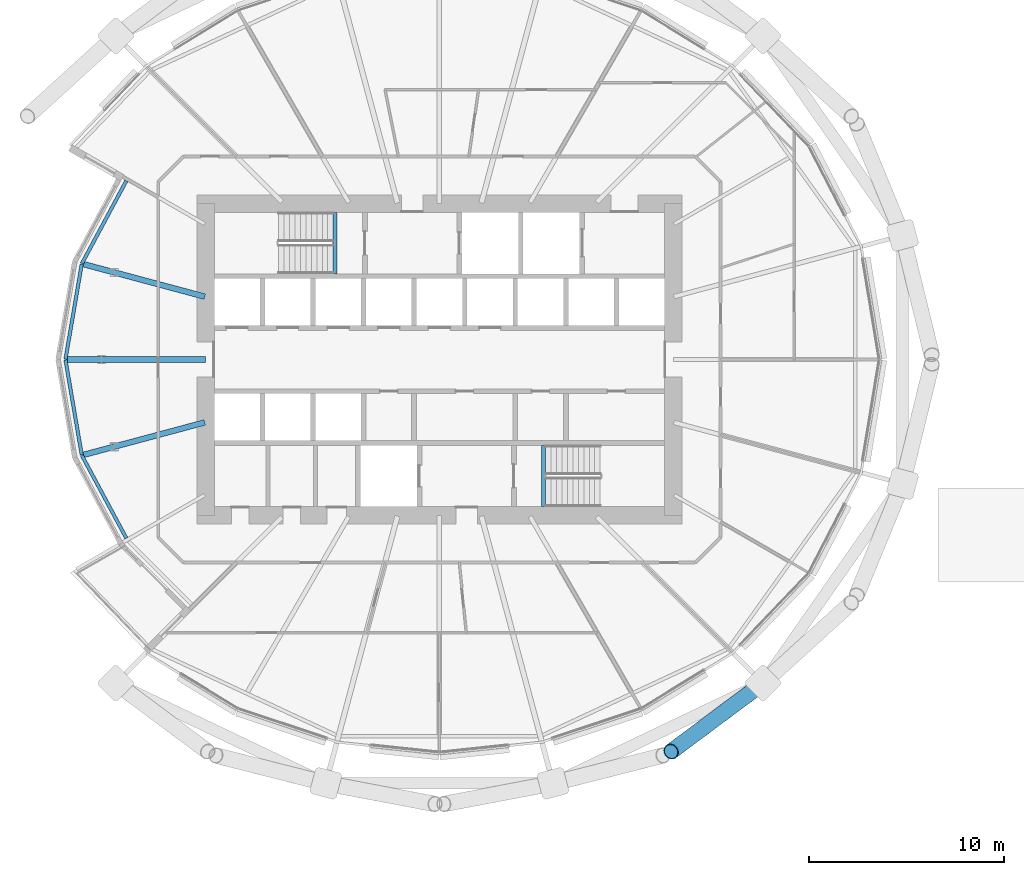
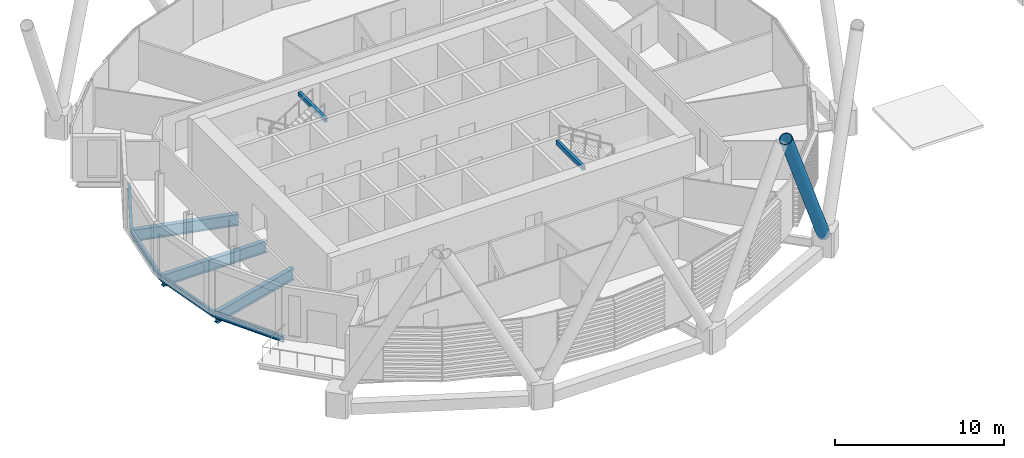
# One storey, part 5 of 34: 9 beams, 1 member.
"""IFC4 building model written with IfcOpenShell, lengths in metres."""

from ifc_helpers import new_model, si_unit, direction, frame, origin, origin_2d, place, context, subcontext, project, spatial, hollow_rectangle, hollow_circle, i_section, extrude, material, material_profile, profile_set, type_object, element, save


model = new_model("IFC4")

# Units and contexts
model_context = context("Model", 3, precision=1e-05, world=origin(), true_north=direction((0.0, 1.0)))
body_context = subcontext(model_context, "Body", "Model", "MODEL_VIEW")
ifc_project = project(units=[si_unit("LENGTHUNIT", "METRE"), si_unit("AREAUNIT", "SQUARE_METRE"), si_unit("VOLUMEUNIT", "CUBIC_METRE"), si_unit("PLANEANGLEUNIT", "RADIAN"), si_unit("MASSUNIT", "GRAM", prefix="KILO")], contexts=[model_context])

# Site, building, storey
site_placement = place(None, origin())
site = spatial("IfcSite", under=ifc_project, at=site_placement, CompositionType="ELEMENT")
building_placement = place(site_placement, origin())
building = spatial("IfcBuilding", under=site, at=building_placement, Name="Rimbun Link Towers", CompositionType="ELEMENT")
storey_placement = place(building_placement, frame((0.0, 0.0, 41.39990234375)))
storey = spatial("IfcBuildingStorey", under=building, at=storey_placement, Name="L09", CompositionType="ELEMENT", Elevation=41.39990234375)

# Member
ifc_material_1 = material(Name="Steel S460NH", Category="steel")
ifc_material_profile_1 = material_profile(ifc_material_1, hollow_circle(Radius=0.406494140625, WallThickness=0.0400390625, at=origin_2d()), Name="Diagrid diagonal CHS 813x40")
ifc_profile_set_1 = profile_set([ifc_material_profile_1], Name="Steel S460NH")
member_type = type_object("IfcMemberType", Name="Diagrid diagonal CHS 813x40", PredefinedType="BRACE", material=ifc_profile_set_1)
member_placement = place(storey_placement, frame((-15.33544921875, -16.745361328125, 0.440673828125), z_axis=(-0.379351487033, -0.282417468244, 0.881097510448), x_axis=(0.597159611982, -0.802122433184, 0.0)))
element("IfcMember", 1, at=member_placement, inside=storey, type_object=member_type, Name="Diagrid diagonal T1 L09-L12 21a", PredefinedType="BRACE", context=body_context, shape_type="SweptSolid", body=[
    extrude(hollow_circle(Radius=0.406494140625, WallThickness=0.0400390625, at=origin_2d()), origin(), (0.0, 0.0, 1.0), 11.938232421875),
])

# Beams
ifc_material_2 = material(Name="Steel S355J2", Category="steel")
ifc_material_profile_2 = material_profile(ifc_material_2, hollow_rectangle(XDim=0.199951171875, YDim=0.300048828125, WallThickness=0.011962890625, at=origin_2d()), Name="BOX 300x200x12")
ifc_profile_set_2 = profile_set([ifc_material_profile_2], Name="Steel S355J2")
beam_type_1 = type_object("IfcBeamType", Name="Stair trimmer beam BOX 300x200x12", PredefinedType="BEAM", material=ifc_profile_set_2)
for number, where, z_axis, x_axis, name in (
    (2, (-37.10009765625, 7.550048828125, 3.489990234375), (0.0, -1.0, 0.0), (1.0, 0.0, 0.0), "L09 ST1 stair beam 1"),
    (3, (-26.39990234375, -7.550048828125, 3.489990234375), (0.0, 1.0, 0.0), (-1.0, 0.0, 0.0), "L09 ST2 stair beam 1"),
):
    element("IfcBeam", number, at=place(storey_placement, frame(where, z_axis=z_axis, x_axis=x_axis)), inside=storey, type_object=beam_type_1, Name=name, PredefinedType="BEAM", context=body_context, shape_type="SweptSolid", body=[
        extrude(hollow_rectangle(XDim=0.199951171875, YDim=0.300048828125, WallThickness=0.011962890625, at=origin_2d()), origin(), (0.0, 0.0, 1.0), 3.150146484375),
    ])
ifc_material_3 = material(Name="Steel S355J2", Category="steel")
ifc_material_profile_3 = material_profile(ifc_material_3, i_section(OverallWidth=0.177978515625, OverallDepth=0.406494140625, WebThickness=0.0078125, FlangeThickness=0.0126953125, at=origin_2d()), Name="UB 406x178x60")
ifc_profile_set_3 = profile_set([ifc_material_profile_3], Name="Steel S355J2")
beam_type_2 = type_object("IfcBeamType", Name="UB 406x178x60", PredefinedType="BEAM", material=ifc_profile_set_3)
beam_1_placement = place(storey_placement, frame((-47.814208984375, 9.167724609375, -0.363037109375), z_axis=(-0.473249180434, -0.880928608469, 0.0), x_axis=(0.880928608469, -0.473249180434, 0.0)))
element("IfcBeam", 4, at=beam_1_placement, inside=storey, type_object=beam_type_2, Name="Edge beam T1 L09 10 recess", PredefinedType="BEAM", context=body_context, shape_type="SweptSolid", body=[
    extrude(i_section(OverallWidth=0.177978515625, OverallDepth=0.406494140625, WebThickness=0.0078125, FlangeThickness=0.0126953125, at=origin_2d()), origin(), (0.0, 0.0, 1.0), 4.810546875),
])
for number, where, z_axis, x_axis, name in (
    (5, (-50.1005859375, 4.901123046875, -0.363037109375), (-0.168479758533, -0.985705113594, 0.0), (0.985705113594, -0.168479758533, 0.0), "Edge beam T1 L09 11 recess"),
    (6, (-50.935546875, -0.01611328125, -0.363037109375), (0.168479758533, -0.985705113594, 0.0), (0.985705113594, 0.168479758533, 0.0), "Edge beam T1 L09 12 recess"),
):
    element("IfcBeam", number, at=place(storey_placement, frame(where, z_axis=z_axis, x_axis=x_axis)), inside=storey, type_object=beam_type_2, Name=name, PredefinedType="BEAM", context=body_context, shape_type="SweptSolid", body=[
        extrude(i_section(OverallWidth=0.177978515625, OverallDepth=0.406494140625, WebThickness=0.0078125, FlangeThickness=0.0126953125, at=origin_2d()), origin(), (0.0, 0.0, 1.0), 4.955810546875),
    ])
beam_2_placement = place(storey_placement, frame((-50.0908203125, -4.929931640625, -0.363037109375), z_axis=(0.473249180434, -0.880928608469, 0.0), x_axis=(0.880928608469, 0.473249180434, 0.0)))
element("IfcBeam", 7, at=beam_2_placement, inside=storey, type_object=beam_type_2, Name="Edge beam T1 L09 13 recess", PredefinedType="BEAM", context=body_context, shape_type="SweptSolid", body=[
    extrude(i_section(OverallWidth=0.177978515625, OverallDepth=0.406494140625, WebThickness=0.0078125, FlangeThickness=0.0126953125, at=origin_2d()), origin(), (0.0, 0.0, 1.0), 4.810546875),
])
ifc_material_4 = material(Name="Steel S355J2", Category="steel")
ifc_material_profile_4 = material_profile(ifc_material_4, i_section(OverallWidth=0.29248046875, OverallDepth=0.8408203125, WebThickness=0.0126953125, FlangeThickness=0.021728515625, at=origin_2d()), Name="UB 838x292x194")
ifc_profile_set_4 = profile_set([ifc_material_profile_4], Name="Steel S355J2")
beam_type_3 = type_object("IfcBeamType", Name="UB 838x292x194", PredefinedType="BEAM", material=ifc_profile_set_4)
beam_3_placement = place(storey_placement, frame((-43.788818359375, 3.225830078125, -0.580322265625), z_axis=(-0.965925382081, 0.258820702905, 0.0), x_axis=(-0.258820702905, -0.965925382081, 0.0)))
element("IfcBeam", 8, at=beam_3_placement, inside=storey, type_object=beam_type_3, Name="Radial beam T1 L09 11", PredefinedType="BEAM", context=body_context, shape_type="SweptSolid", body=[
    extrude(i_section(OverallWidth=0.29248046875, OverallDepth=0.8408203125, WebThickness=0.0126953125, FlangeThickness=0.021728515625, at=origin_2d()), origin(), (0.0, 0.0, 1.0), 6.441650390625),
])
beam_4_placement = place(storey_placement, frame((-43.7509765625, 0.0, -0.580322265625), z_axis=(-1.0, 0.0, 0.0), x_axis=(0.0, -1.0, 0.0)))
element("IfcBeam", 9, at=beam_4_placement, inside=storey, type_object=beam_type_3, Name="Radial beam T1 L09 12", PredefinedType="BEAM", context=body_context, shape_type="SweptSolid", body=[
    extrude(i_section(OverallWidth=0.29248046875, OverallDepth=0.8408203125, WebThickness=0.0126953125, FlangeThickness=0.021728515625, at=origin_2d()), origin(), (0.0, 0.0, 1.0), 7.097412109375),
])
beam_5_placement = place(storey_placement, frame((-43.788818359375, -3.225830078125, -0.580322265625), z_axis=(-0.965925382081, -0.258820702905, 0.0), x_axis=(0.258820702905, -0.965925382081, 0.0)))
element("IfcBeam", 10, at=beam_5_placement, inside=storey, type_object=beam_type_3, Name="Radial beam T1 L09 13", PredefinedType="BEAM", context=body_context, shape_type="SweptSolid", body=[
    extrude(i_section(OverallWidth=0.29248046875, OverallDepth=0.8408203125, WebThickness=0.0126953125, FlangeThickness=0.021728515625, at=origin_2d()), origin(), (0.0, 0.0, 1.0), 6.441650390625),
])

save(model, "model.ifc")
